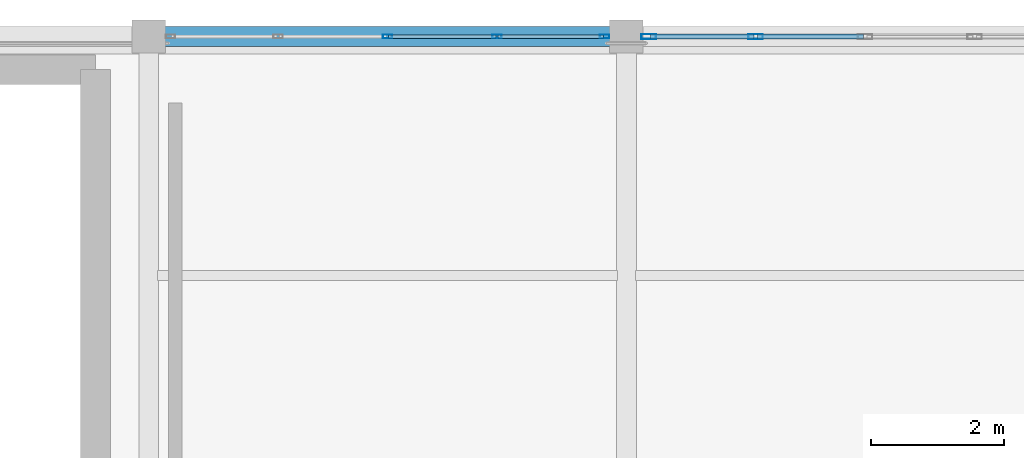
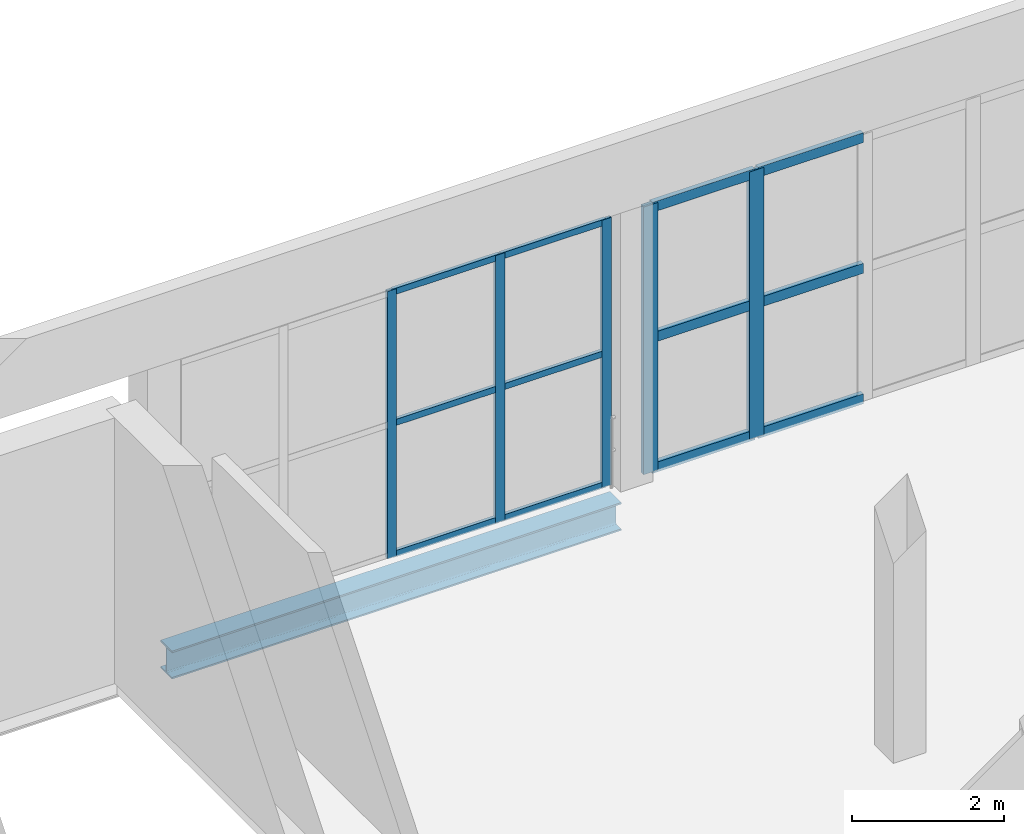
# One storey, part 34 of 64: 17 members, 1 beam, 2 elements without a shape of their own.
"""IFC4 building model written with IfcOpenShell, lengths in metres."""

from ifc_helpers import new_model, si_unit, direction, frame, origin, origin_2d, place, context, subcontext, project, spatial, hollow_rectangle, i_section, extrude, material, material_profile, profile_set, type_object, element, aggregate, save


model = new_model("IFC4")

# Units and contexts
model_context = context("Model", 3, precision=1e-05, world=origin(), true_north=direction((0.0, 1.0)))
body_context = subcontext(model_context, "Body", "Model", "MODEL_VIEW")
ifc_project = project(units=[si_unit("LENGTHUNIT", "METRE"), si_unit("AREAUNIT", "SQUARE_METRE"), si_unit("VOLUMEUNIT", "CUBIC_METRE"), si_unit("PLANEANGLEUNIT", "RADIAN"), si_unit("MASSUNIT", "GRAM", prefix="KILO")], contexts=[model_context])

# Site, building, storey
site_placement = place(None, origin())
site = spatial("IfcSite", under=ifc_project, at=site_placement, CompositionType="ELEMENT")
building_placement = place(site_placement, origin())
building = spatial("IfcBuilding", under=site, at=building_placement, Name="Qandorah Velis Arena", CompositionType="ELEMENT")
storey_placement = place(building_placement, frame((0.0, 0.0, 23.0)))
storey = spatial("IfcBuildingStorey", under=building, at=storey_placement, Name="L05", CompositionType="ELEMENT", Elevation=23.0)

# Curtain wall, members
ifc_material_1 = material(Name="Solar-control low-E double glazing", Category="glass")
curtain_wall_type_1 = type_object("IfcCurtainWallType", Name="ARC-CW-SYS04", PredefinedType="USERDEFINED", material=ifc_material_1)
curtain_wall_1_placement = place(storey_placement, origin())
curtain_wall_1 = element("IfcCurtainWall", 1, at=curtain_wall_1_placement, inside=storey, type_object=curtain_wall_type_1, Name="Unitised curtain wall L05-100", ObjectType="UNITISED CURTAIN WALL", PredefinedType="USERDEFINED")
ifc_material_2 = material(Name="Champagne-bronze anodized aluminium 6063-T6", Category="aluminium")
ifc_material_profile_1 = material_profile(ifc_material_2, hollow_rectangle(XDim=0.054931640625, YDim=0.139892578125, WallThickness=0.0029296875, at=origin_2d()), Name="ALU MULLION 55x140")
ifc_profile_set_1 = profile_set([ifc_material_profile_1], Name="Champagne-bronze anodized aluminium 6063-T6")
member_type_1 = type_object("IfcMemberType", Name="ARC-CWM-140", PredefinedType="MULLION", material=ifc_profile_set_1)
member_1_placement = place(storey_placement, frame((46.800048828125, 129.60009765625, -0.014892578125), z_axis=(0.0, 0.0, 1.0), x_axis=(0.0, 1.0, 0.0)))
member_1 = element("IfcMember", 2, at=member_1_placement, type_object=member_type_1, Name="CW04 mullion 3", PredefinedType="MULLION", context=body_context, shape_type="SweptSolid", body=[
    extrude(hollow_rectangle(XDim=0.054931640625, YDim=0.139892578125, WallThickness=0.0029296875, at=origin_2d()), origin(), (0.0, 0.0, 1.0), 4.309814453125),
])
member_2_placement = place(storey_placement, frame((48.449951171875, 129.60009765625, -0.014892578125), z_axis=(0.0, 0.0, 1.0), x_axis=(0.0, 1.0, 0.0)))
member_2 = element("IfcMember", 3, at=member_2_placement, type_object=member_type_1, Name="CW04 mullion 4", PredefinedType="MULLION", context=body_context, shape_type="SweptSolid", body=[
    extrude(hollow_rectangle(XDim=0.054931640625, YDim=0.139892578125, WallThickness=0.0029296875, at=origin_2d()), origin(), (0.0, 0.0, 1.0), 4.309814453125),
])
member_3_placement = place(storey_placement, frame((50.072509765625, 129.60009765625, -0.014892578125), z_axis=(0.0, 0.0, 1.0), x_axis=(0.0, 1.0, 0.0)))
member_3 = element("IfcMember", 4, at=member_3_placement, type_object=member_type_1, Name="CW04 mullion 5", PredefinedType="MULLION", context=body_context, shape_type="SweptSolid", body=[
    extrude(hollow_rectangle(XDim=0.054931640625, YDim=0.139892578125, WallThickness=0.0029296875, at=origin_2d()), origin(), (0.0, 0.0, 1.0), 4.309814453125),
])

curtain_wall_type_2 = type_object("IfcCurtainWallType", Name="ARC-CW-SYS05", PredefinedType="USERDEFINED", material=ifc_material_1)
curtain_wall_2_placement = place(storey_placement, origin())
curtain_wall_2 = element("IfcCurtainWall", 5, at=curtain_wall_2_placement, inside=storey, type_object=curtain_wall_type_2, Name="Unitised curtain wall L05-101", ObjectType="UNITISED CURTAIN WALL", PredefinedType="USERDEFINED")
ifc_material_profile_2 = material_profile(ifc_material_2, hollow_rectangle(XDim=0.074951171875, YDim=0.219970703125, WallThickness=0.00390625, at=origin_2d()), Name="ALU MULLION 75x220")
ifc_profile_set_2 = profile_set([ifc_material_profile_2], Name="Champagne-bronze anodized aluminium 6063-T6")
member_type_2 = type_object("IfcMemberType", Name="ARC-CWM-220", PredefinedType="MULLION", material=ifc_profile_set_2)
member_4_placement = place(storey_placement, frame((50.737548828125, 129.60009765625, -0.014892578125), z_axis=(0.0, 0.0, 1.0), x_axis=(0.0, 1.0, 0.0)))
member_4 = element("IfcMember", 6, at=member_4_placement, type_object=member_type_2, Name="CW05 mullion 1", PredefinedType="MULLION", context=body_context, shape_type="SweptSolid", body=[
    extrude(hollow_rectangle(XDim=0.074951171875, YDim=0.219970703125, WallThickness=0.00390625, at=origin_2d()), origin(), (0.0, 0.0, 1.0), 4.309814453125),
])
member_5_placement = place(storey_placement, frame((52.35009765625, 129.60009765625, -0.014892578125), z_axis=(0.0, 0.0, 1.0), x_axis=(0.0, 1.0, 0.0)))
member_5 = element("IfcMember", 7, at=member_5_placement, type_object=member_type_2, Name="CW05 mullion 2", PredefinedType="MULLION", context=body_context, shape_type="SweptSolid", body=[
    extrude(hollow_rectangle(XDim=0.074951171875, YDim=0.219970703125, WallThickness=0.00390625, at=origin_2d()), origin(), (0.0, 0.0, 1.0), 4.309814453125),
])

# Member
ifc_material_profile_3 = material_profile(ifc_material_2, hollow_rectangle(XDim=0.054931640625, YDim=0.10009765625, WallThickness=0.0029296875, at=origin_2d()), Name="ALU TRANSOM 55x100")
ifc_profile_set_3 = profile_set([ifc_material_profile_3], Name="Champagne-bronze anodized aluminium 6063-T6")
member_type_3 = type_object("IfcMemberType", Name="ARC-CWT-100", PredefinedType="USERDEFINED", material=ifc_profile_set_3)
member_6_placement = place(storey_placement, frame((46.8154296875, 129.60009765625, 0.027587890625), z_axis=(1.0, 0.0, 0.0), x_axis=(0.0, 1.0, 0.0)))
member_6 = element("IfcMember", 8, at=member_6_placement, type_object=member_type_3, Name="CW04 transom 3.1", ObjectType="TRANSOM", PredefinedType="USERDEFINED", context=body_context, shape_type="SweptSolid", body=[
    extrude(hollow_rectangle(XDim=0.054931640625, YDim=0.10009765625, WallThickness=0.0029296875, at=origin_2d()), origin(), (0.0, 0.0, 1.0), 1.619140625),
])

member_7_placement = place(storey_placement, frame((46.8154296875, 129.60009765625, 2.139892578125), z_axis=(1.0, 0.0, 0.0), x_axis=(0.0, 1.0, 0.0)))
member_7 = element("IfcMember", 9, at=member_7_placement, type_object=member_type_3, Name="CW04 transom 3.2", ObjectType="TRANSOM", PredefinedType="USERDEFINED", context=body_context, shape_type="SweptSolid", body=[
    extrude(hollow_rectangle(XDim=0.054931640625, YDim=0.10009765625, WallThickness=0.0029296875, at=origin_2d()), origin(), (0.0, 0.0, 1.0), 1.619140625),
])

member_8_placement = place(storey_placement, frame((46.8154296875, 129.60009765625, 4.25244140625), z_axis=(1.0, 0.0, 0.0), x_axis=(0.0, 1.0, 0.0)))
member_8 = element("IfcMember", 10, at=member_8_placement, type_object=member_type_3, Name="CW04 transom 3.3", ObjectType="TRANSOM", PredefinedType="USERDEFINED", context=body_context, shape_type="SweptSolid", body=[
    extrude(hollow_rectangle(XDim=0.054931640625, YDim=0.10009765625, WallThickness=0.0029296875, at=origin_2d()), origin(), (0.0, 0.0, 1.0), 1.619140625),
])

member_9_placement = place(storey_placement, frame((48.465576171875, 129.60009765625, 0.027587890625), z_axis=(1.0, 0.0, 0.0), x_axis=(0.0, 1.0, 0.0)))
member_9 = element("IfcMember", 11, at=member_9_placement, type_object=member_type_3, Name="CW04 transom 4.1", ObjectType="TRANSOM", PredefinedType="USERDEFINED", context=body_context, shape_type="SweptSolid", body=[
    extrude(hollow_rectangle(XDim=0.054931640625, YDim=0.10009765625, WallThickness=0.0029296875, at=origin_2d()), origin(), (0.0, 0.0, 1.0), 1.59130859375),
])

member_10_placement = place(storey_placement, frame((48.465576171875, 129.60009765625, 2.139892578125), z_axis=(1.0, 0.0, 0.0), x_axis=(0.0, 1.0, 0.0)))
member_10 = element("IfcMember", 12, at=member_10_placement, type_object=member_type_3, Name="CW04 transom 4.2", ObjectType="TRANSOM", PredefinedType="USERDEFINED", context=body_context, shape_type="SweptSolid", body=[
    extrude(hollow_rectangle(XDim=0.054931640625, YDim=0.10009765625, WallThickness=0.0029296875, at=origin_2d()), origin(), (0.0, 0.0, 1.0), 1.59130859375),
])

member_11_placement = place(storey_placement, frame((48.465576171875, 129.60009765625, 4.25244140625), z_axis=(1.0, 0.0, 0.0), x_axis=(0.0, 1.0, 0.0)))
member_11 = element("IfcMember", 13, at=member_11_placement, type_object=member_type_3, Name="CW04 transom 4.3", ObjectType="TRANSOM", PredefinedType="USERDEFINED", context=body_context, shape_type="SweptSolid", body=[
    extrude(hollow_rectangle(XDim=0.054931640625, YDim=0.10009765625, WallThickness=0.0029296875, at=origin_2d()), origin(), (0.0, 0.0, 1.0), 1.59130859375),
])

aggregate(curtain_wall_1, [member_1, member_2, member_3, member_6, member_7, member_8, member_9, member_10, member_11])

ifc_material_profile_4 = material_profile(ifc_material_2, hollow_rectangle(XDim=0.074951171875, YDim=0.159912109375, WallThickness=0.00341796875, at=origin_2d()), Name="ALU TRANSOM 75x160")
ifc_profile_set_4 = profile_set([ifc_material_profile_4], Name="Champagne-bronze anodized aluminium 6063-T6")
member_type_4 = type_object("IfcMemberType", Name="ARC-CWT-160", PredefinedType="USERDEFINED", material=ifc_profile_set_4)
member_12_placement = place(storey_placement, frame((50.762939453125, 129.60009765625, 0.03759765625), z_axis=(1.0, 0.0, 0.0), x_axis=(0.0, 1.0, 0.0)))
member_12 = element("IfcMember", 14, at=member_12_placement, type_object=member_type_4, Name="CW05 transom 1.1", ObjectType="TRANSOM", PredefinedType="USERDEFINED", context=body_context, shape_type="SweptSolid", body=[
    extrude(hollow_rectangle(XDim=0.074951171875, YDim=0.159912109375, WallThickness=0.00341796875, at=origin_2d()), origin(), (0.0, 0.0, 1.0), 1.5615234375),
])

member_13_placement = place(storey_placement, frame((50.762939453125, 129.60009765625, 2.139892578125), z_axis=(1.0, 0.0, 0.0), x_axis=(0.0, 1.0, 0.0)))
member_13 = element("IfcMember", 15, at=member_13_placement, type_object=member_type_4, Name="CW05 transom 1.2", ObjectType="TRANSOM", PredefinedType="USERDEFINED", context=body_context, shape_type="SweptSolid", body=[
    extrude(hollow_rectangle(XDim=0.074951171875, YDim=0.159912109375, WallThickness=0.00341796875, at=origin_2d()), origin(), (0.0, 0.0, 1.0), 1.5615234375),
])

member_14_placement = place(storey_placement, frame((50.762939453125, 129.60009765625, 4.242431640625), z_axis=(1.0, 0.0, 0.0), x_axis=(0.0, 1.0, 0.0)))
member_14 = element("IfcMember", 16, at=member_14_placement, type_object=member_type_4, Name="CW05 transom 1.3", ObjectType="TRANSOM", PredefinedType="USERDEFINED", context=body_context, shape_type="SweptSolid", body=[
    extrude(hollow_rectangle(XDim=0.074951171875, YDim=0.159912109375, WallThickness=0.00341796875, at=origin_2d()), origin(), (0.0, 0.0, 1.0), 1.5615234375),
])

member_15_placement = place(storey_placement, frame((52.37548828125, 129.60009765625, 0.03759765625), z_axis=(1.0, 0.0, 0.0), x_axis=(0.0, 1.0, 0.0)))
member_15 = element("IfcMember", 17, at=member_15_placement, type_object=member_type_4, Name="CW05 transom 2.1", ObjectType="TRANSOM", PredefinedType="USERDEFINED", context=body_context, shape_type="SweptSolid", body=[
    extrude(hollow_rectangle(XDim=0.074951171875, YDim=0.159912109375, WallThickness=0.00341796875, at=origin_2d()), origin(), (0.0, 0.0, 1.0), 1.59912109375),
])

member_16_placement = place(storey_placement, frame((52.37548828125, 129.60009765625, 2.139892578125), z_axis=(1.0, 0.0, 0.0), x_axis=(0.0, 1.0, 0.0)))
member_16 = element("IfcMember", 18, at=member_16_placement, type_object=member_type_4, Name="CW05 transom 2.2", ObjectType="TRANSOM", PredefinedType="USERDEFINED", context=body_context, shape_type="SweptSolid", body=[
    extrude(hollow_rectangle(XDim=0.074951171875, YDim=0.159912109375, WallThickness=0.00341796875, at=origin_2d()), origin(), (0.0, 0.0, 1.0), 1.59912109375),
])

member_17_placement = place(storey_placement, frame((52.37548828125, 129.60009765625, 4.242431640625), z_axis=(1.0, 0.0, 0.0), x_axis=(0.0, 1.0, 0.0)))
member_17 = element("IfcMember", 19, at=member_17_placement, type_object=member_type_4, Name="CW05 transom 2.3", ObjectType="TRANSOM", PredefinedType="USERDEFINED", context=body_context, shape_type="SweptSolid", body=[
    extrude(hollow_rectangle(XDim=0.074951171875, YDim=0.159912109375, WallThickness=0.00341796875, at=origin_2d()), origin(), (0.0, 0.0, 1.0), 1.59912109375),
])

aggregate(curtain_wall_2, [member_4, member_5, member_12, member_13, member_14, member_15, member_16, member_17])

# Beam
ifc_material_3 = material(Name="Steel S355", Category="steel")
ifc_material_profile_5 = material_profile(ifc_material_3, i_section(OverallWidth=0.300048828125, OverallDepth=0.449951171875, WebThickness=0.013916015625, FlangeThickness=0.02587890625, FilletRadius=0.027099609375, at=origin_2d()), Name="HEB 450")
ifc_profile_set_5 = profile_set([ifc_material_profile_5], Name="Steel S355")
beam_type = type_object("IfcBeamType", Name="STR-BM-HEB450", PredefinedType="BEAM", material=ifc_profile_set_5)
beam_placement = place(storey_placement, frame((43.37841796875, 129.60009765625, -0.47509765625), z_axis=(1.0, 0.0, 0.0), x_axis=(0.0, 1.0, 0.0)))
element("IfcBeam", 20, at=beam_placement, inside=storey, type_object=beam_type, Name="Primary floor girder L05 X-107", PredefinedType="BEAM", context=body_context, shape_type="SweptSolid", body=[
    extrude(i_section(OverallWidth=0.300048828125, OverallDepth=0.449951171875, WebThickness=0.013916015625, FlangeThickness=0.02587890625, FilletRadius=0.027099609375, at=origin_2d()), origin(), (0.0, 0.0, 1.0), 6.843017578125),
])

save(model, "model.ifc")
